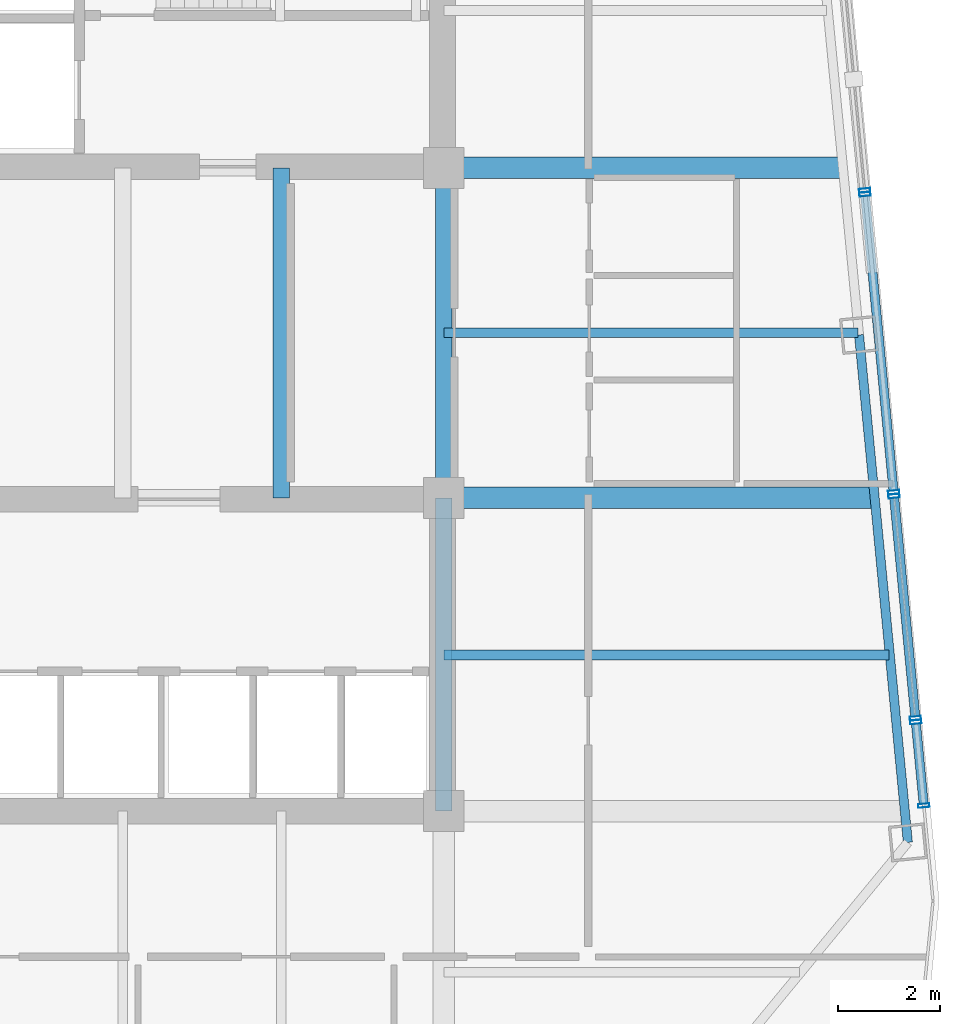
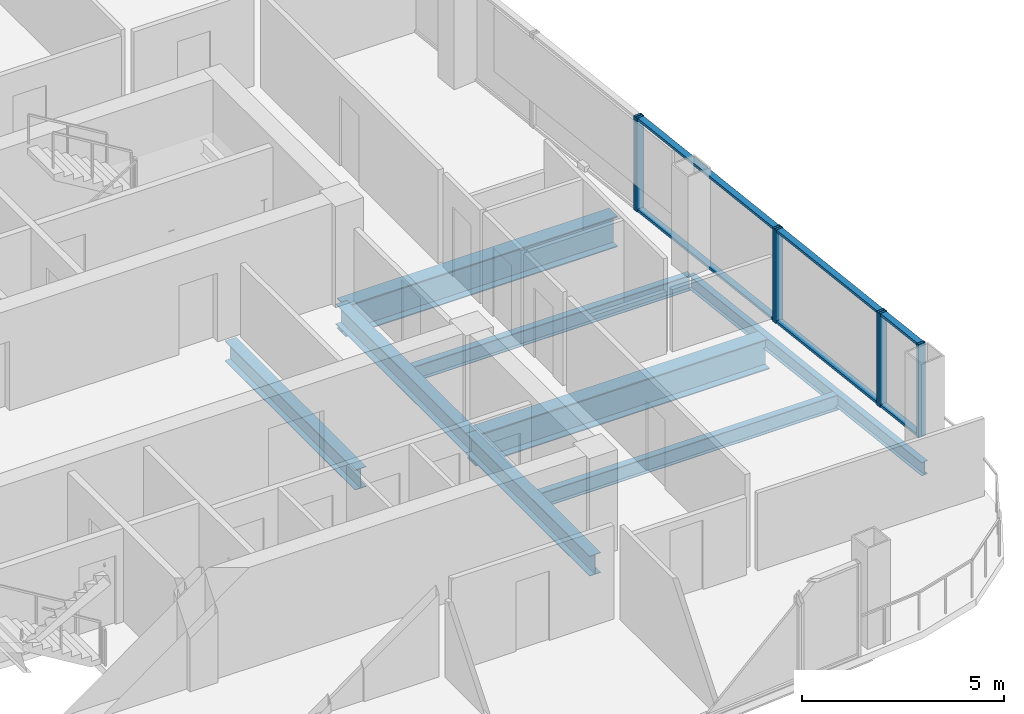
# One storey, part 10 of 22: 13 members, 8 beams, 4 elements without a shape of their own.
"""IFC4 building model written with IfcOpenShell, lengths in metres."""

from ifc_helpers import new_model, si_unit, direction, frame, origin, origin_2d, place, context, subcontext, project, spatial, hollow_rectangle, i_section, extrude, material, layer, layer_set, material_profile, profile_set, type_object, element, aggregate, save


model = new_model("IFC4")

# Units and contexts
model_context = context("Model", 3, precision=1e-05, world=origin(), true_north=direction((0.0, 1.0)))
body_context = subcontext(model_context, "Body", "Model", "MODEL_VIEW")
ifc_project = project(units=[si_unit("LENGTHUNIT", "METRE"), si_unit("AREAUNIT", "SQUARE_METRE"), si_unit("VOLUMEUNIT", "CUBIC_METRE"), si_unit("PLANEANGLEUNIT", "RADIAN"), si_unit("MASSUNIT", "GRAM", prefix="KILO")], contexts=[model_context])

# Site, building, storey
site_placement = place(None, origin())
site = spatial("IfcSite", under=ifc_project, at=site_placement, CompositionType="ELEMENT")
building_placement = place(site_placement, origin())
building = spatial("IfcBuilding", under=site, at=building_placement, Name="Qhalaya Broadcast Tower", CompositionType="ELEMENT")
storey_placement = place(building_placement, frame((0.0, 0.0, 171.39990234375)))
storey = spatial("IfcBuildingStorey", under=building, at=storey_placement, Name="L50", CompositionType="ELEMENT", Elevation=171.39990234375)

# Beams
ifc_material_1 = material(Name="Structural Steel ASTM A992 Grade 50", Category="steel")
ifc_material_profile_1 = material_profile(ifc_material_1, i_section(OverallWidth=0.19189453125, OverallDepth=0.462890625, WebThickness=0.010498046875, FlangeThickness=0.017578125, at=origin_2d()), Name="W18X60")
ifc_profile_set_1 = profile_set([ifc_material_profile_1], Name="Structural Steel ASTM A992 Grade 50")
beam_type_1 = type_object("IfcBeamType", Name="Composite Floor Joist J03", PredefinedType="JOIST", material=ifc_profile_set_1)
beam_1_placement = place(storey_placement, frame((9.375, -5.699951171875, -0.451416015625), z_axis=(1.0, 0.0, 0.0), x_axis=(0.0, 1.0, 0.0)))
element("IfcBeam", 1, at=beam_1_placement, inside=storey, type_object=beam_type_1, Name="L50 J03 L50-JWE3E-1", PredefinedType="JOIST", context=body_context, shape_type="SweptSolid", body=[
    extrude(i_section(OverallWidth=0.19189453125, OverallDepth=0.462890625, WebThickness=0.010498046875, FlangeThickness=0.017578125, at=origin_2d()), origin(), (0.0, 0.0, 1.0), 8.7001953125),
])
beam_2_placement = place(storey_placement, frame((9.375, 0.60009765625, -0.451416015625), z_axis=(1.0, 0.0, 0.0), x_axis=(0.0, 1.0, 0.0)))
element("IfcBeam", 2, at=beam_2_placement, inside=storey, type_object=beam_type_1, Name="L50 J03 L50-JWE4E-1", PredefinedType="JOIST", context=body_context, shape_type="SweptSolid", body=[
    extrude(i_section(OverallWidth=0.19189453125, OverallDepth=0.462890625, WebThickness=0.010498046875, FlangeThickness=0.017578125, at=origin_2d()), origin(), (0.0, 0.0, 1.0), 8.093505859375),
])
ifc_material_profile_2 = material_profile(ifc_material_1, i_section(OverallWidth=0.323974609375, OverallDepth=0.612060546875, WebThickness=0.0126953125, FlangeThickness=0.01904296875, at=origin_2d()), Name="W24X104")
ifc_profile_set_2 = profile_set([ifc_material_profile_2], Name="Structural Steel ASTM A992 Grade 50")
beam_type_2 = type_object("IfcBeamType", Name="Core Frame Tie Beam B04", PredefinedType="BEAM", material=ifc_profile_set_2)
beam_3_placement = place(storey_placement, frame((9.375, -8.75, -0.52587890625), z_axis=(0.0, 1.0, 0.0), x_axis=(-1.0, 0.0, 0.0)))
element("IfcBeam", 3, at=beam_3_placement, inside=storey, type_object=beam_type_2, Name="L50 B04 L50-CCS2", PredefinedType="BEAM", context=body_context, shape_type="SweptSolid", body=[
    extrude(i_section(OverallWidth=0.323974609375, OverallDepth=0.612060546875, WebThickness=0.0126953125, FlangeThickness=0.01904296875, at=origin_2d()), origin(), (0.0, 0.0, 1.0), 6.125),
])
for number, where, z_axis, x_axis, name in (
    (4, (9.375, -2.625, -0.52587890625), (0.0, 1.0, 0.0), (-1.0, 0.0, 0.0), "L50 B04 L50-CCE"),
    (5, (6.199951171875, -2.625, -0.52587890625), (0.0, 1.0, 0.0), (-1.0, 0.0, 0.0), "L50 B04 L50-JC5-1"),
):
    element("IfcBeam", number, at=place(storey_placement, frame(where, z_axis=z_axis, x_axis=x_axis)), inside=storey, type_object=beam_type_2, Name=name, PredefinedType="BEAM", context=body_context, shape_type="SweptSolid", body=[
        extrude(i_section(OverallWidth=0.323974609375, OverallDepth=0.612060546875, WebThickness=0.0126953125, FlangeThickness=0.01904296875, at=origin_2d()), origin(), (0.0, 0.0, 1.0), 6.449951171875),
    ])
ifc_material_profile_3 = material_profile(ifc_material_1, i_section(OverallWidth=0.4189453125, OverallDepth=0.927001953125, WebThickness=0.019287109375, FlangeThickness=0.031982421875, at=origin_2d()), Name="W36X231")
ifc_profile_set_3 = profile_set([ifc_material_profile_3], Name="Structural Steel ASTM A992 Grade 50")
beam_type_3 = type_object("IfcBeamType", Name="Mid Block Primary Girder PG3", PredefinedType="USERDEFINED", material=ifc_profile_set_3)
beam_4_placement = place(storey_placement, frame((9.375, -2.625, -0.683349609375), z_axis=(1.0, 0.0, 0.0), x_axis=(0.0, 1.0, 0.0)))
element("IfcBeam", 6, at=beam_4_placement, inside=storey, type_object=beam_type_3, Name="L50 PG3 L50-PGYE2-1", ObjectType="GIRDER", PredefinedType="USERDEFINED", context=body_context, shape_type="SweptSolid", body=[
    extrude(i_section(OverallWidth=0.4189453125, OverallDepth=0.927001953125, WebThickness=0.019287109375, FlangeThickness=0.031982421875, at=origin_2d()), origin(), (0.0, 0.0, 1.0), 8.404052734375),
])
beam_5_placement = place(storey_placement, frame((9.375, 3.824951171875, -0.683349609375), z_axis=(1.0, 0.0, 0.0), x_axis=(0.0, 1.0, 0.0)))
element("IfcBeam", 7, at=beam_5_placement, inside=storey, type_object=beam_type_3, Name="L50 PG3 L50-PGYE3-1", ObjectType="GIRDER", PredefinedType="USERDEFINED", context=body_context, shape_type="SweptSolid", body=[
    extrude(i_section(OverallWidth=0.4189453125, OverallDepth=0.927001953125, WebThickness=0.019287109375, FlangeThickness=0.031982421875, at=origin_2d()), origin(), (0.0, 0.0, 1.0), 7.782958984375),
])

# Curtain wall, members
ifc_material_2 = material(Name="Fired Architectural Terracotta", Category="masonry")
ifc_layer_1 = layer(ifc_material_2, 0.219970703125, Name="Fired Architectural Terracotta")
ifc_layer_set_1 = layer_set([ifc_layer_1], Name="Fired Architectural Terracotta")
curtain_wall_type_1 = type_object("IfcCurtainWallType", Name="Block-Cap Unitised Terracotta Spandrel Wall CW-07", PredefinedType="NOTDEFINED", material=ifc_layer_set_1)
curtain_wall_1_placement = place(storey_placement, origin())
curtain_wall_1 = element("IfcCurtainWall", 8, at=curtain_wall_1_placement, inside=storey, type_object=curtain_wall_type_1, Name="L50 Unitised Curtain Wall L50-CW-E1", PredefinedType="NOTDEFINED")
ifc_material_3 = material(Name="Anodised Aluminium 6063-T6", Category="aluminium")
ifc_material_profile_4 = material_profile(ifc_material_3, hollow_rectangle(XDim=0.074951171875, YDim=0.219970703125, WallThickness=0.00390625, at=origin_2d()), Name="ALU-MUL 75x220x4")
ifc_profile_set_4 = profile_set([ifc_material_profile_4], Name="Anodised Aluminium 6063-T6")
member_type_1 = type_object("IfcMemberType", Name="Unitised Curtain-Wall Mullion M01", PredefinedType="MULLION", material=ifc_profile_set_4)
member_1_placement = place(storey_placement, frame((18.76025390625, -8.64111328125, 0.0), z_axis=(0.0, 0.0, 1.0), x_axis=(-0.095860176134, 0.995394809426, 0.0)))
member_1 = element("IfcMember", 9, at=member_1_placement, type_object=member_type_1, Name="CW-07 mullion 1", PredefinedType="MULLION", context=body_context, shape_type="SweptSolid", body=[
    extrude(hollow_rectangle(XDim=0.074951171875, YDim=0.219970703125, WallThickness=0.00390625, at=origin_2d()), origin(), (0.0, 0.0, 1.0), 2.830078125),
])
member_2_placement = place(storey_placement, frame((18.60302734375, -7.0087890625, 0.0), z_axis=(0.0, 0.0, 1.0), x_axis=(-0.095860176134, 0.995394809426, 0.0)))
member_2 = element("IfcMember", 10, at=member_2_placement, type_object=member_type_1, Name="CW-07 mullion 2", PredefinedType="MULLION", context=body_context, shape_type="SweptSolid", body=[
    extrude(hollow_rectangle(XDim=0.074951171875, YDim=0.219970703125, WallThickness=0.00390625, at=origin_2d()), origin(), (0.0, 0.0, 1.0), 2.830078125),
])

ifc_material_4 = material(Name="Solar-Control Low-E Triple Glazing", Category="glass")
ifc_layer_2 = layer(ifc_material_4, 0.219970703125, Name="Solar-Control Low-E Triple Glazing")
ifc_layer_set_2 = layer_set([ifc_layer_2], Name="Solar-Control Low-E Triple Glazing")
curtain_wall_type_2 = type_object("IfcCurtainWallType", Name="Even-Block 4-Storey Double-Module Curtain Wall CW-03", PredefinedType="NOTDEFINED", material=ifc_layer_set_2)
curtain_wall_2_placement = place(storey_placement, origin())
curtain_wall_2 = element("IfcCurtainWall", 11, at=curtain_wall_2_placement, inside=storey, type_object=curtain_wall_type_2, Name="L50 Unitised Curtain Wall L50-CW-E2", PredefinedType="NOTDEFINED")
member_3_placement = place(storey_placement, frame((18.595703125, -6.93408203125, 0.0), z_axis=(0.0, 0.0, 1.0), x_axis=(-0.095830074124, 0.9953977079, 0.0)))
member_3 = element("IfcMember", 12, at=member_3_placement, type_object=member_type_1, Name="CW-03 mullion 1", PredefinedType="MULLION", context=body_context, shape_type="SweptSolid", body=[
    extrude(hollow_rectangle(XDim=0.074951171875, YDim=0.219970703125, WallThickness=0.00390625, at=origin_2d()), origin(), (0.0, 0.0, 1.0), 2.830078125),
])
member_4_placement = place(storey_placement, frame((18.177734375, -2.592041015625, 0.0), z_axis=(0.0, 0.0, 1.0), x_axis=(-0.095830074124, 0.9953977079, 0.0)))
member_4 = element("IfcMember", 13, at=member_4_placement, type_object=member_type_1, Name="CW-03 mullion 2", PredefinedType="MULLION", context=body_context, shape_type="SweptSolid", body=[
    extrude(hollow_rectangle(XDim=0.074951171875, YDim=0.219970703125, WallThickness=0.00390625, at=origin_2d()), origin(), (0.0, 0.0, 1.0), 2.830078125),
])

curtain_wall_3_placement = place(storey_placement, origin())
curtain_wall_3 = element("IfcCurtainWall", 14, at=curtain_wall_3_placement, inside=storey, type_object=curtain_wall_type_1, Name="L50 Unitised Curtain Wall L50-CW-E3", PredefinedType="NOTDEFINED")
member_5_placement = place(storey_placement, frame((18.170654296875, -2.517578125, 0.0), z_axis=(0.0, 0.0, 1.0), x_axis=(-0.095850920361, 0.995395700747, 0.0)))
member_5 = element("IfcMember", 15, at=member_5_placement, type_object=member_type_1, Name="CW-07 mullion 1", PredefinedType="MULLION", context=body_context, shape_type="SweptSolid", body=[
    extrude(hollow_rectangle(XDim=0.074951171875, YDim=0.219970703125, WallThickness=0.00390625, at=origin_2d()), origin(), (0.0, 0.0, 1.0), 2.830078125),
])
member_6_placement = place(storey_placement, frame((17.609375, 3.3095703125, 0.0), z_axis=(0.0, 0.0, 1.0), x_axis=(-0.095850920361, 0.995395700747, 0.0)))
member_6 = element("IfcMember", 16, at=member_6_placement, type_object=member_type_1, Name="CW-07 mullion 2", PredefinedType="MULLION", context=body_context, shape_type="SweptSolid", body=[
    extrude(hollow_rectangle(XDim=0.074951171875, YDim=0.219970703125, WallThickness=0.00390625, at=origin_2d()), origin(), (0.0, 0.0, 1.0), 2.830078125),
])

# Curtain wall, member
curtain_wall_4_placement = place(storey_placement, origin())
curtain_wall_4 = element("IfcCurtainWall", 17, at=curtain_wall_4_placement, inside=storey, type_object=curtain_wall_type_2, Name="L50 Unitised Curtain Wall L50-CW-E4", PredefinedType="NOTDEFINED")
member_7_placement = place(storey_placement, frame((17.602294921875, 3.38427734375, 0.0), z_axis=(0.0, 0.0, 1.0), x_axis=(-0.095855381625, 0.995395271143, 0.0)))
member_7 = element("IfcMember", 18, at=member_7_placement, type_object=member_type_1, Name="CW-03 mullion 1", PredefinedType="MULLION", context=body_context, shape_type="SweptSolid", body=[
    extrude(hollow_rectangle(XDim=0.074951171875, YDim=0.219970703125, WallThickness=0.00390625, at=origin_2d()), origin(), (0.0, 0.0, 1.0), 2.830078125),
])
aggregate(curtain_wall_4, [member_7])

# Member
ifc_material_profile_5 = material_profile(ifc_material_3, hollow_rectangle(XDim=0.074951171875, YDim=0.179931640625, WallThickness=0.00390625, at=origin_2d()), Name="ALU-TRN 75x180x4")
ifc_profile_set_5 = profile_set([ifc_material_profile_5], Name="Anodised Aluminium 6063-T6")
member_type_2 = type_object("IfcMemberType", Name="Unitised Curtain-Wall Transom T01", PredefinedType="USERDEFINED", material=ifc_profile_set_5)
member_8_placement = place(storey_placement, frame((18.756591796875, -8.603759765625, 0.03759765625), z_axis=(-0.095795646917, 0.995401021715, 0.0), x_axis=(0.0, 0.0, 1.0)))
member_8 = element("IfcMember", 19, at=member_8_placement, type_object=member_type_2, Name="CW-07 transom 1.1", ObjectType="TRANSOM", PredefinedType="USERDEFINED", context=body_context, shape_type="SweptSolid", body=[
    extrude(hollow_rectangle(XDim=0.074951171875, YDim=0.179931640625, WallThickness=0.00390625, at=origin_2d()), origin(), (0.0, 0.0, 1.0), 1.564697265625),
])

member_9_placement = place(storey_placement, frame((18.756591796875, -8.603759765625, 2.79248046875), z_axis=(-0.095795646917, 0.995401021715, 0.0), x_axis=(0.0, 0.0, 1.0)))
member_9 = element("IfcMember", 20, at=member_9_placement, type_object=member_type_2, Name="CW-07 transom 1.2", ObjectType="TRANSOM", PredefinedType="USERDEFINED", context=body_context, shape_type="SweptSolid", body=[
    extrude(hollow_rectangle(XDim=0.074951171875, YDim=0.179931640625, WallThickness=0.00390625, at=origin_2d()), origin(), (0.0, 0.0, 1.0), 1.564697265625),
])

aggregate(curtain_wall_1, [member_1, member_2, member_8, member_9])

member_10_placement = place(storey_placement, frame((18.59228515625, -6.896728515625, 0.03759765625), z_axis=(-0.095843705792, 0.995396395443, 0.0), x_axis=(0.0, 0.0, 1.0)))
member_10 = element("IfcMember", 21, at=member_10_placement, type_object=member_type_2, Name="CW-03 transom 1.1", ObjectType="TRANSOM", PredefinedType="USERDEFINED", context=body_context, shape_type="SweptSolid", body=[
    extrude(hollow_rectangle(XDim=0.074951171875, YDim=0.179931640625, WallThickness=0.00390625, at=origin_2d()), origin(), (0.0, 0.0, 1.0), 4.287109375),
])

member_11_placement = place(storey_placement, frame((18.59228515625, -6.896728515625, 2.79248046875), z_axis=(-0.095843705792, 0.995396395443, 0.0), x_axis=(0.0, 0.0, 1.0)))
member_11 = element("IfcMember", 22, at=member_11_placement, type_object=member_type_2, Name="CW-03 transom 1.2", ObjectType="TRANSOM", PredefinedType="USERDEFINED", context=body_context, shape_type="SweptSolid", body=[
    extrude(hollow_rectangle(XDim=0.074951171875, YDim=0.179931640625, WallThickness=0.00390625, at=origin_2d()), origin(), (0.0, 0.0, 1.0), 4.287109375),
])

aggregate(curtain_wall_2, [member_3, member_4, member_10, member_11])

member_12_placement = place(storey_placement, frame((18.1669921875, -2.480224609375, 0.03759765625), z_axis=(-0.095855691474, 0.995395241305, 0.0), x_axis=(0.0, 0.0, 1.0)))
member_12 = element("IfcMember", 23, at=member_12_placement, type_object=member_type_2, Name="CW-07 transom 1.1", ObjectType="TRANSOM", PredefinedType="USERDEFINED", context=body_context, shape_type="SweptSolid", body=[
    extrude(hollow_rectangle(XDim=0.074951171875, YDim=0.179931640625, WallThickness=0.00390625, at=origin_2d()), origin(), (0.0, 0.0, 1.0), 5.779052734375),
])

member_13_placement = place(storey_placement, frame((18.1669921875, -2.480224609375, 2.79248046875), z_axis=(-0.095855691474, 0.995395241305, 0.0), x_axis=(0.0, 0.0, 1.0)))
member_13 = element("IfcMember", 24, at=member_13_placement, type_object=member_type_2, Name="CW-07 transom 1.2", ObjectType="TRANSOM", PredefinedType="USERDEFINED", context=body_context, shape_type="SweptSolid", body=[
    extrude(hollow_rectangle(XDim=0.074951171875, YDim=0.179931640625, WallThickness=0.00390625, at=origin_2d()), origin(), (0.0, 0.0, 1.0), 5.779052734375),
])

aggregate(curtain_wall_3, [member_5, member_6, member_12, member_13])

# Beam
ifc_material_profile_6 = material_profile(ifc_material_1, i_section(OverallWidth=0.177978515625, OverallDepth=0.406005859375, WebThickness=0.0078125, FlangeThickness=0.0126953125, at=origin_2d()), Name="W16X40")
ifc_profile_set_6 = profile_set([ifc_material_profile_6], Name="Structural Steel ASTM A992 Grade 50")
beam_type_4 = type_object("IfcBeamType", Name="Upper Perimeter Spandrel Beam SP2", PredefinedType="SPANDREL", material=ifc_profile_set_6)
beam_6_placement = place(storey_placement, frame((18.44775390625, -9.362060546875, -0.4228515625), z_axis=(-0.095826293365, 0.995398071879, 0.0), x_axis=(-0.995398071879, -0.095826293365, 0.0)))
element("IfcBeam", 25, at=beam_6_placement, inside=storey, type_object=beam_type_4, Name="L50 SP2 L50-SPR-05", PredefinedType="SPANDREL", context=body_context, shape_type="SweptSolid", body=[
    extrude(i_section(OverallWidth=0.177978515625, OverallDepth=0.406005859375, WebThickness=0.0078125, FlangeThickness=0.0126953125, at=origin_2d()), origin(), (0.0, 0.0, 1.0), 9.966796875),
])

save(model, "model.ifc")
